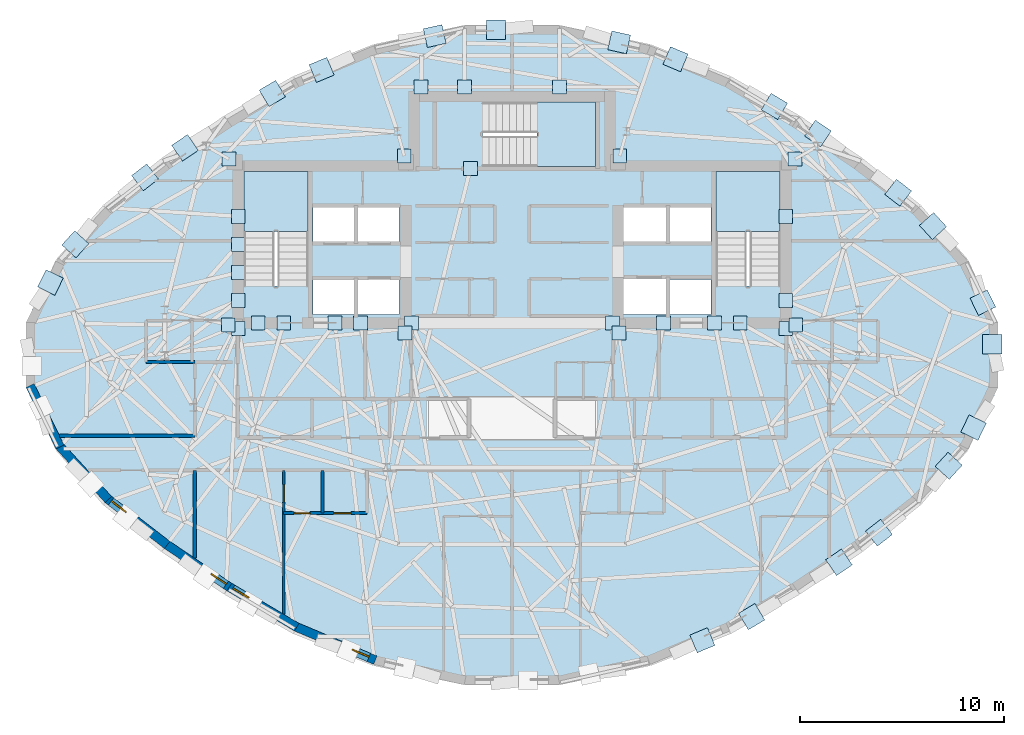
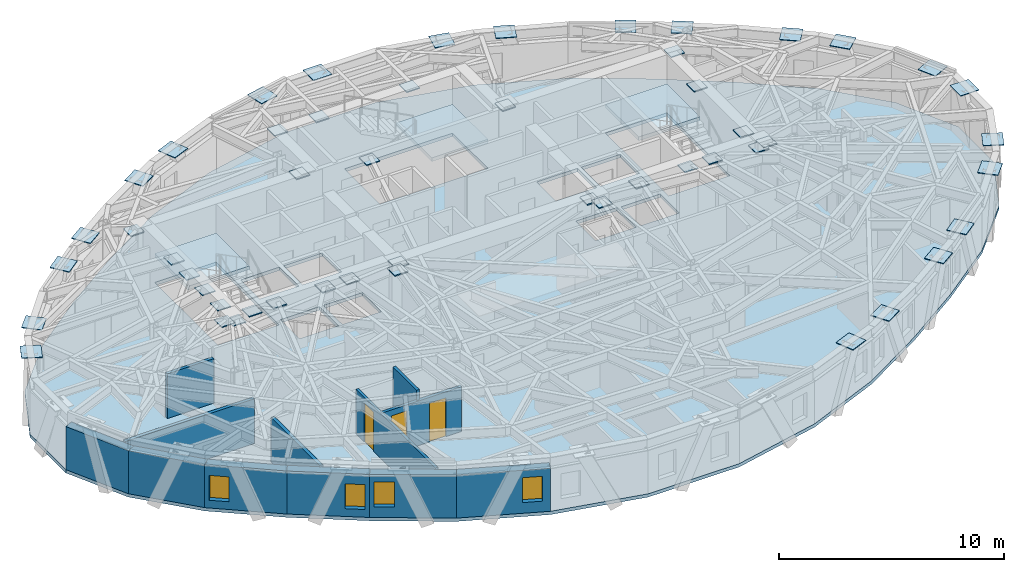
# One storey, part 5 of 13: 51 plates, 12 walls, 4 slabs, 4 windows, 3 doors, 7 openings, 3 elements without a shape of their own.
"""IFC4 building model written with IfcOpenShell, lengths in metres."""

from ifc_helpers import new_model, si_unit, direction, frame, frame_2d, origin, origin_2d, place, context, subcontext, project, spatial, polyline, rectangle, outline, extrude, material, layer, layer_set, type_object, element, fill, aggregate, save


model = new_model("IFC4")

# Units and contexts
model_context = context("Model", 3, precision=1e-05, world=origin(), true_north=direction((0.0, 1.0)))
body_context = subcontext(model_context, "Body", "Model", "MODEL_VIEW")
ifc_project = project(units=[si_unit("LENGTHUNIT", "METRE"), si_unit("AREAUNIT", "SQUARE_METRE"), si_unit("VOLUMEUNIT", "CUBIC_METRE"), si_unit("PLANEANGLEUNIT", "RADIAN"), si_unit("MASSUNIT", "GRAM", prefix="KILO")], contexts=[model_context])

# Site, building, storey
site_placement = place(None, origin())
site = spatial("IfcSite", under=ifc_project, at=site_placement, CompositionType="ELEMENT")
building_placement = place(site_placement, origin())
building = spatial("IfcBuilding", under=site, at=building_placement, Name="Keldmark Tower", CompositionType="ELEMENT")
storey_placement = place(building_placement, frame((0.0, 0.0, 210.0)))
storey = spatial("IfcBuildingStorey", under=building, at=storey_placement, Name="L58", CompositionType="ELEMENT", Elevation=210.0)

# Plates
ifc_material_1 = material(Name="Steel ASTM A572 Grade 50", Category="steel")
ifc_layer_1 = layer(ifc_material_1, 0.06005859375)
ifc_layer_set_1 = layer_set([ifc_layer_1], Name="Steel ASTM A572 Grade 50")
plate_type_1 = type_object("IfcPlateType", Name="Belt Truss Kink Node Assembly KN01 60 mm", PredefinedType="USERDEFINED", material=ifc_layer_set_1)
for number, where, z_axis, x_axis, name in (
    (1, (13.91162109375, 1.473388671875, 2.67822265625), (0.0, 0.0, 1.0), (1.0, 0.0, 0.0), "L58 Core Wall Cast-In Embed Plate 1702"),
    (2, (13.878173828125, 9.608154296875, 2.67822265625), (0.0, 0.0, 1.0), (1.0, 0.0, 0.0), "L58 Core Wall Cast-In Embed Plate 1703"),
    (3, (5.28515625, 9.758544921875, 2.67822265625), (0.0, 0.0, 1.0), (1.0, 0.0, 0.0), "L58 Core Wall Cast-In Embed Plate 1704"),
    (4, (-5.28515625, 9.758544921875, 2.67822265625), (0.0, 0.0, 1.0), (1.0, 0.0, 0.0), "L58 Core Wall Cast-In Embed Plate 1705"),
    (5, (-13.878173828125, 9.608154296875, 2.67822265625), (0.0, 0.0, 1.0), (1.0, 0.0, 0.0), "L58 Core Wall Cast-In Embed Plate 1706"),
    (6, (-13.91162109375, 1.473388671875, 2.67822265625), (0.0, 0.0, 1.0), (1.0, 0.0, 0.0), "L58 Core Wall Cast-In Embed Plate 1707"),
    (7, (-5.24072265625, 1.08251953125, 2.67822265625), (0.0, 0.0, 1.0), (1.0, 0.0, 0.0), "L58 Core Wall Cast-In Embed Plate 1708"),
    (8, (5.24072265625, 1.08251953125, 2.67822265625), (0.0, 0.0, 1.0), (1.0, 0.0, 0.0), "L58 Core Wall Cast-In Embed Plate 1709"),
    (9, (-11.19287109375, 1.574951171875, 2.673828125), (0.0, 0.0, 1.0), (1.0, 0.0, 0.0), "L58 Core Wall Cast-In Embed Plate 1710"),
    (10, (-7.43212890625, 1.574951171875, 2.673828125), (0.0, 0.0, 1.0), (1.0, 0.0, 0.0), "L58 Core Wall Cast-In Embed Plate 1711"),
    (11, (7.43212890625, 1.574951171875, 2.673828125), (0.0, 0.0, 1.0), (1.0, 0.0, 0.0), "L58 Core Wall Cast-In Embed Plate 1712"),
    (12, (11.19287109375, 1.574951171875, 2.673828125), (0.0, 0.0, 1.0), (1.0, 0.0, 0.0), "L58 Core Wall Cast-In Embed Plate 1713"),
    (13, (-13.425048828125, 1.300048828125, 2.673828125), (0.0, 0.0, 1.0), (1.0, 0.0, 0.0), "L58 Core Wall Cast-In Embed Plate 1714"),
    (14, (-2.04296875, 9.139892578125, 2.673828125), (0.0, 0.0, 1.0), (1.0, 0.0, 0.0), "L58 Core Wall Cast-In Embed Plate 1715"),
    (15, (9.939208984375, 1.574951171875, 2.673828125), (0.0, 0.0, 1.0), (1.0, 0.0, 0.0), "L58 Core Wall Cast-In Embed Plate 1716"),
    (16, (13.425048828125, 1.300048828125, 2.673828125), (0.0, 0.0, 1.0), (1.0, 0.0, 0.0), "L58 Core Wall Cast-In Embed Plate 1717"),
    (17, (13.425048828125, 2.675048828125, 2.673828125), (0.0, 0.0, 1.0), (1.0, 0.0, 0.0), "L58 Core Wall Cast-In Embed Plate 1718"),
    (18, (13.425048828125, 6.800048828125, 2.673828125), (0.0, 0.0, 1.0), (1.0, 0.0, 0.0), "L58 Core Wall Cast-In Embed Plate 1719"),
    (19, (-13.425048828125, 4.050048828125, 2.673828125), (0.0, 0.0, 1.0), (1.0, 0.0, 0.0), "L58 Core Wall Cast-In Embed Plate 1720"),
    (20, (-13.425048828125, 2.675048828125, 2.673828125), (0.0, 0.0, 1.0), (1.0, 0.0, 0.0), "L58 Core Wall Cast-In Embed Plate 1721"),
    (21, (-13.425048828125, 5.425048828125, 2.673828125), (0.0, 0.0, 1.0), (1.0, 0.0, 0.0), "L58 Core Wall Cast-In Embed Plate 1722"),
    (22, (4.925048828125, 1.574951171875, 2.673828125), (0.0, 0.0, 1.0), (1.0, 0.0, 0.0), "L58 Core Wall Cast-In Embed Plate 1723"),
    (23, (-8.685791015625, 1.574951171875, 2.673828125), (0.0, 0.0, 1.0), (1.0, 0.0, 0.0), "L58 Core Wall Cast-In Embed Plate 1724"),
    (24, (-4.925048828125, 1.574951171875, 2.673828125), (0.0, 0.0, 1.0), (1.0, 0.0, 0.0), "L58 Core Wall Cast-In Embed Plate 1725"),
    (25, (-12.4462890625, 1.574951171875, 2.673828125), (0.0, 0.0, 1.0), (1.0, 0.0, 0.0), "L58 Core Wall Cast-In Embed Plate 1726"),
    (26, (2.3251953125, 13.14990234375, 2.673828125), (0.0, 0.0, 1.0), (1.0, 0.0, 0.0), "L58 Core Wall Cast-In Embed Plate 1727"),
    (27, (-2.3251953125, 13.14990234375, 2.673828125), (0.0, 0.0, 1.0), (1.0, 0.0, 0.0), "L58 Core Wall Cast-In Embed Plate 1728"),
    (28, (-4.4541015625, 13.14990234375, 2.673828125), (0.0, 0.0, 1.0), (1.0, 0.0, 0.0), "L58 Core Wall Cast-In Embed Plate 1729"),
    (29, (-13.425048828125, 6.800048828125, 2.673828125), (0.0, 0.0, 1.0), (1.0, 0.0, 0.0), "L58 Core Wall Cast-In Embed Plate 1730"),
):
    element("IfcPlate", number, at=place(storey_placement, frame(where, z_axis=z_axis, x_axis=x_axis)), inside=storey, type_object=plate_type_1, Name=name, ObjectType="CAP PLATE", PredefinedType="USERDEFINED", context=body_context, shape_type="SweptSolid", body=[
        extrude(rectangle(XDim=0.679931640625, YDim=0.679931640625, at=origin_2d()), origin(), (0.0, 0.0, 1.0), 0.054931640625),
    ])
ifc_material_2 = material(Name="Steel ASTM A572 Grade 50", Category="steel")
ifc_layer_2 = layer(ifc_material_2, 0.0400390625)
ifc_layer_set_2 = layer_set([ifc_layer_2], Name="Steel ASTM A572 Grade 50")
plate_type_2 = type_object("IfcPlateType", Name="Diagrid Node Assembly DN05 40 mm", PredefinedType="USERDEFINED", material=ifc_layer_set_2)
for number, where, z_axis, x_axis, name in (
    (30, (23.090576171875, 2.5703125, 2.830078125), (0.0, 0.0, 1.0), (-0.438998516526, 0.898487786499, 0.0), "L58 Diagrid Node Assembly 01"),
    (31, (20.645263671875, 6.325927734375, 2.830078125), (0.0, 0.0, 1.0), (-0.674302387584, 0.738455340626, 0.0), "L58 Diagrid Node Assembly 02"),
    (32, (18.9375, 7.96240234375, 2.830078125), (0.0, 0.0, 1.0), (-0.791010021561, 0.611803192039, 0.0), "L58 Diagrid Node Assembly 03"),
    (33, (15.006103515625, 10.8642578125, 2.830078125), (0.0, 0.0, 1.0), (-0.827570769564, 0.561361399958, 0.0), "L58 Diagrid Node Assembly 04"),
    (34, (12.867919921875, 12.19140625, 2.830078125), (0.0, 0.0, 1.0), (-0.859406411501, 0.511293086077, 0.0), "L58 Diagrid Node Assembly 05"),
    (35, (8.02001953125, 14.50732421875, 2.830078125), (0.0, 0.0, 1.0), (-0.921930771776, 0.387354685078, 0.0), "L58 Diagrid Node Assembly 06"),
    (36, (5.25390625, 15.3330078125, 2.830078125), (0.0, 0.0, 1.0), (-0.97564952142, 0.219335385547, 0.0), "L58 Diagrid Node Assembly 07"),
    (37, (-0.781005859375, 15.952880859375, 2.830078125), (0.0, 0.0, 1.0), (-1.0, 0.0, 0.0), "L58 Diagrid Node Assembly 08"),
    (38, (-3.79248046875, 15.641845703125, 2.830078125), (0.0, 0.0, 1.0), (-0.97564952142, -0.219335385547, 0.0), "L58 Diagrid Node Assembly 09"),
    (39, (-9.335205078125, 13.98388671875, 2.830078125), (0.0, 0.0, 1.0), (-0.921930771776, -0.387354685078, 0.0), "L58 Diagrid Node Assembly 10"),
    (40, (-11.753173828125, 12.827392578125, 2.830078125), (0.0, 0.0, 1.0), (-0.859406411501, -0.511293086077, 0.0), "L58 Diagrid Node Assembly 11"),
    (41, (-16.036376953125, 10.162841796875, 2.830078125), (0.0, 0.0, 1.0), (-0.827570769564, -0.561361399958, 0.0), "L58 Diagrid Node Assembly 12"),
    (42, (-17.9970703125, 8.71533203125, 2.830078125), (0.0, 0.0, 1.0), (-0.791010021561, -0.611803192039, 0.0), "L58 Diagrid Node Assembly 13"),
    (43, (-21.414794921875, 5.430419921875, 2.830078125), (0.0, 0.0, 1.0), (-0.674302387584, -0.738455340626, 0.0), "L58 Diagrid Node Assembly 14"),
    (44, (-22.634033203125, 3.557861328125, 2.830078125), (0.0, 0.0, 1.0), (-0.438998516526, -0.898487786499, 0.0), "L58 Diagrid Node Assembly 15"),
    (45, (9.335205078125, -13.98388671875, 2.830078125), (0.0, 0.0, 1.0), (0.921930771776, 0.387354685078, 0.0), "L58 Diagrid Node Assembly 26"),
    (46, (11.753173828125, -12.827392578125, 2.830078125), (0.0, 0.0, 1.0), (0.859406411501, 0.511293086077, 0.0), "L58 Diagrid Node Assembly 27"),
    (47, (16.036376953125, -10.162841796875, 2.830078125), (0.0, 0.0, 1.0), (0.827570769564, 0.561361399958, 0.0), "L58 Diagrid Node Assembly 28"),
    (48, (17.9970703125, -8.71533203125, 2.830078125), (0.0, 0.0, 1.0), (0.791010021561, 0.611803192039, 0.0), "L58 Diagrid Node Assembly 29"),
    (49, (21.414794921875, -5.430419921875, 2.830078125), (0.0, 0.0, 1.0), (0.674302387584, 0.738455340626, 0.0), "L58 Diagrid Node Assembly 30"),
    (50, (22.634033203125, -3.557861328125, 2.830078125), (0.0, 0.0, 1.0), (0.438998516526, 0.898487786499, 0.0), "L58 Diagrid Node Assembly 31"),
    (51, (23.54931640625, 0.531494140625, 2.830078125), (0.0, 0.0, 1.0), (0.0, 1.0, 0.0), "L58 Diagrid Node Assembly 32"),
):
    element("IfcPlate", number, at=place(storey_placement, frame(where, z_axis=z_axis, x_axis=x_axis)), inside=storey, type_object=plate_type_2, Name=name, ObjectType="GUSSET", PredefinedType="USERDEFINED", context=body_context, shape_type="SweptSolid", body=[
        extrude(rectangle(XDim=0.93994140625, YDim=0.93994140625, at=origin_2d()), origin(), (0.0, 0.0, 1.0), 0.0400390625),
    ])

# Slab
ifc_material_3 = material(Name="Concrete C35/45", Category="concrete")
ifc_layer_3 = layer(ifc_material_3, 0.179931640625)
ifc_layer_set_3 = layer_set([ifc_layer_3], Name="Concrete C35/45")
slab_type_1 = type_object("IfcSlabType", Name="Hotel and Residential Slab 180 mm", PredefinedType="FLOOR", material=ifc_layer_set_3)
slab_1_placement = place(storey_placement, frame((0.0, 0.0, -0.179931640625)))
element("IfcSlab", 52, at=slab_1_placement, inside=storey, type_object=slab_type_1, Name="L58 Composite Structural Floor Slab", PredefinedType="FLOOR", context=body_context, shape_type="SweptSolid", body=[
    extrude(outline(polyline([(23.833984375, 1.59228515625), (22.363525390625, 4.601318359375), (19.9580078125, 7.235595703125), (17.04541015625, 9.488037109375), (13.98876953125, 11.561279296875), (10.667724609375, 13.53662109375), (6.783935546875, 15.168212890625), (2.347412109375, 16.165771484375), (-2.347412109375, 16.165771484375), (-6.783935546875, 15.168212890625), (-10.667724609375, 13.53662109375), (-13.98876953125, 11.561279296875), (-17.04541015625, 9.488037109375), (-19.9580078125, 7.235595703125), (-22.363525390625, 4.601318359375), (-23.833984375, 1.59228515625), (-23.833984375, -1.59228515625), (-22.363525390625, -4.601318359375), (-19.9580078125, -7.235595703125), (-17.04541015625, -9.488037109375), (-13.98876953125, -11.561279296875), (-10.667724609375, -13.53662109375), (-6.783935546875, -15.168212890625), (-2.347412109375, -16.165771484375), (2.347412109375, -16.165771484375), (6.783935546875, -15.168212890625), (10.667724609375, -13.53662109375), (13.98876953125, -11.561279296875), (17.04541015625, -9.488037109375), (19.9580078125, -7.235595703125), (22.363525390625, -4.601318359375), (23.833984375, -1.59228515625), (23.833984375, 1.59228515625)]), holes=[polyline([(-10.0, 3.385009765625), (-10.0, 9.0), (-13.14990234375, 9.0), (-13.14990234375, 3.385009765625), (-10.0, 3.385009765625)]), polyline([(13.14990234375, 3.385009765625), (13.14990234375, 9.0), (10.0, 9.0), (10.0, 3.385009765625), (13.14990234375, 3.385009765625)]), polyline([(-1.43994140625, 9.25), (4.10498046875, 9.25), (4.10498046875, 12.39990234375), (-1.43994140625, 12.39990234375), (-1.43994140625, 9.25)]), polyline([(-9.75, 2.0), (-7.75, 2.0), (-7.75, 3.699951171875), (-9.75, 3.699951171875), (-9.75, 2.0)]), polyline([(7.75, 2.0), (9.75, 2.0), (9.75, 3.699951171875), (7.75, 3.699951171875), (7.75, 2.0)]), polyline([(5.449951171875, 2.0), (7.550048828125, 2.0), (7.550048828125, 3.75), (5.449951171875, 3.75), (5.449951171875, 2.0)]), polyline([(-9.75, 5.550048828125), (-7.75, 5.550048828125), (-7.75, 7.25), (-9.75, 7.25), (-9.75, 5.550048828125)]), polyline([(-7.550048828125, 5.550048828125), (-5.550048828125, 5.550048828125), (-5.550048828125, 7.25), (-7.550048828125, 7.25), (-7.550048828125, 5.550048828125)]), polyline([(-7.550048828125, 2.0), (-5.550048828125, 2.0), (-5.550048828125, 3.699951171875), (-7.550048828125, 3.699951171875), (-7.550048828125, 2.0)]), polyline([(5.449951171875, 5.550048828125), (7.550048828125, 5.550048828125), (7.550048828125, 7.25), (5.449951171875, 7.25), (5.449951171875, 5.550048828125)]), polyline([(7.75, 5.550048828125), (9.75, 5.550048828125), (9.75, 7.25), (7.75, 7.25), (7.75, 5.550048828125)])]), origin(), (0.0, 0.0, 1.0), 0.179931640625),
])

# Stair, slab
ifc_material_4 = material(Name="Concrete C40/50", Category="concrete")
stair_type = type_object("IfcStairType", Name="Precast Concrete Core Exit Stair", PredefinedType="HALF_TURN_STAIR", material=ifc_material_4)
stair_1_placement = place(storey_placement, origin())
stair_1 = element("IfcStair", 53, at=stair_1_placement, inside=storey, type_object=stair_type, Name="L58 Exit Stair ST1", PredefinedType="HALF_TURN_STAIR")
ifc_material_5 = material(Name="Concrete C40/50", Category="concrete")
ifc_layer_4 = layer(ifc_material_5, 0.199951171875)
ifc_layer_set_4 = layer_set([ifc_layer_4], Name="Concrete C40/50")
slab_type_2 = type_object("IfcSlabType", Name="Reinforced Concrete Stair Landing 200 mm", PredefinedType="LANDING", material=ifc_layer_set_4)
slab_2_placement = place(storey_placement, frame((0.0, 0.0, 1.375)))
slab_2 = element("IfcSlab", 54, at=slab_2_placement, type_object=slab_type_2, Name="ST1 landing 1", PredefinedType="LANDING", context=body_context, shape_type="SweptSolid", body=[
    extrude(outline(polyline([(-10.0, 6.050048828125), (-10.0, 9.0), (-13.14990234375, 9.0), (-13.14990234375, 6.050048828125), (-10.0, 6.050048828125)])), origin(), (0.0, 0.0, 1.0), 0.199951171875),
])
aggregate(stair_1, [slab_2])

stair_2_placement = place(storey_placement, origin())
stair_2 = element("IfcStair", 55, at=stair_2_placement, inside=storey, type_object=stair_type, Name="L58 Exit Stair ST2", PredefinedType="HALF_TURN_STAIR")
slab_3_placement = place(storey_placement, frame((0.0, 0.0, 1.375)))
slab_3 = element("IfcSlab", 56, at=slab_3_placement, type_object=slab_type_2, Name="ST2 landing 1", PredefinedType="LANDING", context=body_context, shape_type="SweptSolid", body=[
    extrude(outline(polyline([(13.14990234375, 6.050048828125), (13.14990234375, 9.0), (10.0, 9.0), (10.0, 6.050048828125), (13.14990234375, 6.050048828125)])), origin(), (0.0, 0.0, 1.0), 0.199951171875),
])
aggregate(stair_2, [slab_3])

stair_3_placement = place(storey_placement, origin())
stair_3 = element("IfcStair", 57, at=stair_3_placement, inside=storey, type_object=stair_type, Name="L58 Exit Stair ST3", PredefinedType="HALF_TURN_STAIR")
slab_4_placement = place(storey_placement, frame((0.0, 0.0, 1.375)))
slab_4 = element("IfcSlab", 58, at=slab_4_placement, type_object=slab_type_2, Name="ST3 landing 1", PredefinedType="LANDING", context=body_context, shape_type="SweptSolid", body=[
    extrude(outline(polyline([(1.22509765625, 9.25), (4.10498046875, 9.25), (4.10498046875, 12.39990234375), (1.22509765625, 12.39990234375), (1.22509765625, 9.25)])), origin(), (0.0, 0.0, 1.0), 0.199951171875),
])
aggregate(stair_3, [slab_4])

# Wall, opening, door
ifc_material_6 = material(Name="Acoustic Gypsum Board Interior Partition", Category="gypsum")
ifc_layer_5 = layer(ifc_material_6, 0.1298828125)
ifc_layer_set_5 = layer_set([ifc_layer_5], Name="Acoustic Gypsum Board Interior Partition")
wall_type_1 = type_object("IfcWallType", Name="Interior Partition 130 mm", PredefinedType="PARTITIONING", material=ifc_layer_set_5)
wall_1_placement = place(storey_placement, frame((-11.199951171875, -12.69873046875, 0.0), z_axis=(0.0, 0.0, 1.0), x_axis=(0.0, 1.0, 0.0)))
wall_1 = element("IfcWall", 59, at=wall_1_placement, inside=storey, type_object=wall_type_1, Name="L58 Interior Partition 130 mm UA-BR1-E", PredefinedType="PARTITIONING", context=body_context, shape_type="SweptSolid", body=[
    extrude(rectangle(XDim=7.048828125, YDim=0.1298828125, at=frame_2d((3.5244140625, 0.0))), origin(), (0.0, 0.0, 1.0), 2.423095703125),
])
opening_1_placement = place(wall_1_placement, frame((5.4990234375, 0.0, 0.0)))
opening_1 = element("IfcOpeningElement", 60, at=opening_1_placement, cuts=wall_1, Name="Opening D-BR085", PredefinedType="OPENING", context=body_context, shape_type="SweptSolid", body=[
    extrude(rectangle(XDim=0.85009765625, YDim=2.10009765625, at=frame_2d((0.425048828125, 1.050048828125))), frame((0.0, 0.074951171875, 0.0), z_axis=(0.0, -1.0, 0.0), x_axis=(1.0, 0.0, 0.0)), (0.0, 0.0, 1.0), 0.14990234375),
])
ifc_material_7 = material(Name="Solid-Core Stained Walnut Wood", Category="wood")
door_type_1 = type_object("IfcDoorType", Name="Bedroom Door 850x2100", OperationType="NOTDEFINED", PredefinedType="DOOR", material=ifc_material_7)
door_1_placement = place(opening_1_placement, origin())
door_1 = element("IfcDoor", 61, at=door_1_placement, inside=storey, type_object=door_type_1, Name="L58 Bedroom Door 850x2100 D-UA-BR1-L58", OperationType="SINGLE_SWING_RIGHT", OverallHeight=2.10009765625, OverallWidth=0.85009765625, PredefinedType="DOOR", context=body_context, shape_type="SweptSolid", body=[
    extrude(rectangle(XDim=0.85009765625, YDim=2.10009765625, at=frame_2d((0.425048828125, 1.050048828125))), frame((0.0, 0.02490234375, 0.0), z_axis=(0.0, -1.0, 0.0), x_axis=(1.0, 0.0, 0.0)), (0.0, 0.0, 1.0), 0.050048828125),
])
fill(opening_1, door_1)

# Walls
ifc_material_8 = material(Name="Type X Fire-Rated Gypsum Partition Assembly", Category="gypsum")
ifc_layer_6 = layer(ifc_material_8, 0.1650390625)
ifc_layer_set_6 = layer_set([ifc_layer_6], Name="Type X Fire-Rated Gypsum Partition Assembly")
wall_type_2 = type_object("IfcWallType", Name="Rated Partition 165 mm", PredefinedType="PARTITIONING", material=ifc_layer_set_6)
wall_2_placement = place(storey_placement, frame((-22.18310546875, -3.949951171875, 0.0), z_axis=(0.0, 0.0, 1.0), x_axis=(1.0, 0.0, 0.0)))
element("IfcWall", 62, at=wall_2_placement, inside=storey, type_object=wall_type_2, Name="L58 Rated Partition 165 mm RCOR-WN-OUT", PredefinedType="PARTITIONING", context=body_context, shape_type="SweptSolid", body=[
    extrude(rectangle(XDim=6.633056640625, YDim=0.1650390625, at=frame_2d((3.31640625, 0.0))), origin(), (0.0, 0.0, 1.0), 2.423095703125),
])
wall_3_placement = place(storey_placement, frame((-15.550048828125, -9.9609375, 0.0), z_axis=(0.0, 0.0, 1.0), x_axis=(0.0, 1.0, 0.0)))
element("IfcWall", 63, at=wall_3_placement, inside=storey, type_object=wall_type_2, Name="L58 Rated Partition 165 mm RS-WCAP", PredefinedType="PARTITIONING", context=body_context, shape_type="SweptSolid", body=[
    extrude(rectangle(XDim=4.31103515625, YDim=0.1650390625, at=frame_2d((2.155517578125, 0.0))), origin(), (0.0, 0.0, 1.0), 2.423095703125),
])
ifc_material_9 = material(Name="Ironspot Manganese Brick and Kasota Buff Limestone Spandrel Assembly", Category="masonry")
ifc_layer_7 = layer(ifc_material_9, 0.43994140625)
ifc_layer_set_7 = layer_set([ifc_layer_7], Name="Ironspot Manganese Brick and Kasota Buff Limestone Spandrel Assembly")
wall_type_3 = type_object("IfcWallType", Name="Tower Brick Pier and Spandrel Wall 440 mm", PredefinedType="STANDARD", material=ifc_layer_set_7)
wall_4_placement = place(storey_placement, frame((-22.166015625, -4.504638671875, 0.0), z_axis=(0.0, 0.0, 1.0), x_axis=(-0.439000922584, 0.898486610902, 0.0)))
element("IfcWall", 64, at=wall_4_placement, inside=storey, type_object=wall_type_3, Name="L58 Exterior Brick and Spandrel Wall 17", PredefinedType="STANDARD", context=body_context, shape_type="SweptSolid", body=[
    extrude(rectangle(XDim=3.34912109375, YDim=0.43994140625, at=frame_2d((1.674560546875, 0.0))), origin(), (0.0, 0.0, 1.0), 2.3359375),
])
wall_5_placement = place(storey_placement, frame((-19.79541015625, -7.087158203125, 0.0), z_axis=(0.0, 0.0, 1.0), x_axis=(-0.674353738675, 0.738408447362, 0.0)))
element("IfcWall", 65, at=wall_5_placement, inside=storey, type_object=wall_type_3, Name="L58 Exterior Brick and Spandrel Wall 18", PredefinedType="STANDARD", context=body_context, shape_type="SweptSolid", body=[
    extrude(rectangle(XDim=3.567626953125, YDim=0.43994140625, at=frame_2d((1.78369140625, 0.0))), origin(), (0.0, 0.0, 1.0), 2.3359375),
])

# Wall, opening, window
wall_6_placement = place(storey_placement, frame((-16.910888671875, -9.314208984375, 0.0), z_axis=(0.0, 0.0, 1.0), x_axis=(-0.791016617957, 0.61179466336, 0.0)))
wall_6 = element("IfcWall", 66, at=wall_6_placement, inside=storey, type_object=wall_type_3, Name="L58 Exterior Brick and Spandrel Wall 19", PredefinedType="STANDARD", context=body_context, shape_type="SweptSolid", body=[
    extrude(rectangle(XDim=3.68212890625, YDim=0.43994140625, at=frame_2d((1.841064453125, 0.0))), origin(), (0.0, 0.0, 1.0), 2.3359375),
])
opening_2_placement = place(wall_6_placement, frame((2.58203125, 0.0, 0.419921875)))
opening_2 = element("IfcOpeningElement", 67, at=opening_2_placement, cuts=wall_6, Name="Opening W-09", PredefinedType="OPENING", context=body_context, shape_type="SweptSolid", body=[
    extrude(rectangle(XDim=0.89990234375, YDim=1.35009765625, at=frame_2d((0.449951171875, 0.675048828125))), frame((0.0, 0.22998046875, 0.0), z_axis=(0.0, -1.0, 0.0), x_axis=(1.0, 0.0, 0.0)), (0.0, 0.0, 1.0), 0.4599609375),
])
ifc_material_10 = material(Name="Thermally Broken Anodized Aluminum and Triple Low-E Argon Glazing", Category="aluminium")
window_type = type_object("IfcWindowType", Name="Corner Pier Deep-Set Window 900x1350", PartitioningType="SINGLE_PANEL", PredefinedType="WINDOW", material=ifc_material_10)
window_1_placement = place(opening_2_placement, origin())
window_1 = element("IfcWindow", 68, at=window_1_placement, inside=storey, type_object=window_type, Name="L58 Deep-Set Window 19", OverallHeight=1.35009765625, OverallWidth=0.89990234375, PartitioningType="SINGLE_PANEL", PredefinedType="WINDOW", context=body_context, shape_type="SweptSolid", body=[
    extrude(rectangle(XDim=0.89990234375, YDim=1.35009765625, at=frame_2d((0.449951171875, 0.675048828125))), frame((0.0, -0.010009765625, 0.0), z_axis=(0.0, -1.0, 0.0), x_axis=(1.0, 0.0, 0.0)), (0.0, 0.0, 1.0), 0.06005859375),
])
fill(opening_2, window_1)

wall_7_placement = place(storey_placement, frame((-13.865234375, -11.379150390625, 0.0), z_axis=(0.0, 0.0, 1.0), x_axis=(-0.827589832786, 0.561333295529, 0.0)))
wall_7 = element("IfcWall", 69, at=wall_7_placement, inside=storey, type_object=wall_type_3, Name="L58 Exterior Brick and Spandrel Wall 20", PredefinedType="STANDARD", context=body_context, shape_type="SweptSolid", body=[
    extrude(rectangle(XDim=3.693359375, YDim=0.43994140625, at=frame_2d((1.8466796875, 0.0))), origin(), (0.0, 0.0, 1.0), 2.3359375),
])
opening_3_placement = place(wall_7_placement, frame((0.199951171875, 0.0, 0.419921875)))
opening_3 = element("IfcOpeningElement", 70, at=opening_3_placement, cuts=wall_7, Name="Opening W-09", PredefinedType="OPENING", context=body_context, shape_type="SweptSolid", body=[
    extrude(rectangle(XDim=0.89990234375, YDim=1.35009765625, at=frame_2d((0.449951171875, 0.675048828125))), frame((0.0, 0.22998046875, 0.0), z_axis=(0.0, -1.0, 0.0), x_axis=(1.0, 0.0, 0.0)), (0.0, 0.0, 1.0), 0.4599609375),
])
window_2_placement = place(opening_3_placement, origin())
window_2 = element("IfcWindow", 71, at=window_2_placement, inside=storey, type_object=window_type, Name="L58 Deep-Set Window 20", OverallHeight=1.35009765625, OverallWidth=0.89990234375, PartitioningType="SINGLE_PANEL", PredefinedType="WINDOW", context=body_context, shape_type="SweptSolid", body=[
    extrude(rectangle(XDim=0.89990234375, YDim=1.35009765625, at=frame_2d((0.449951171875, 0.675048828125))), frame((0.0, -0.010009765625, 0.0), z_axis=(0.0, -1.0, 0.0), x_axis=(1.0, 0.0, 0.0)), (0.0, 0.0, 1.0), 0.06005859375),
])
fill(opening_3, window_2)

wall_8_placement = place(storey_placement, frame((-10.555419921875, -13.34765625, 0.0), z_axis=(0.0, 0.0, 1.0), x_axis=(-0.859415840392, 0.511277237204, 0.0)))
wall_8 = element("IfcWall", 72, at=wall_8_placement, inside=storey, type_object=wall_type_3, Name="L58 Exterior Brick and Spandrel Wall 21", PredefinedType="STANDARD", context=body_context, shape_type="SweptSolid", body=[
    extrude(rectangle(XDim=3.864013671875, YDim=0.43994140625, at=frame_2d((1.93212890625, 0.0))), origin(), (0.0, 0.0, 1.0), 2.3359375),
])
opening_4_placement = place(wall_8_placement, frame((2.76416015625, 0.0, 0.580078125)))
opening_4 = element("IfcOpeningElement", 73, at=opening_4_placement, cuts=wall_8, Name="Opening W-09", PredefinedType="OPENING", context=body_context, shape_type="SweptSolid", body=[
    extrude(rectangle(XDim=0.89990234375, YDim=1.35009765625, at=frame_2d((0.449951171875, 0.675048828125))), frame((0.0, 0.22998046875, 0.0), z_axis=(0.0, -1.0, 0.0), x_axis=(1.0, 0.0, 0.0)), (0.0, 0.0, 1.0), 0.4599609375),
])
window_3_placement = place(opening_4_placement, origin())
window_3 = element("IfcWindow", 74, at=window_3_placement, inside=storey, type_object=window_type, Name="L58 Deep-Set Window 21", OverallHeight=1.35009765625, OverallWidth=0.89990234375, PartitioningType="SINGLE_PANEL", PredefinedType="WINDOW", context=body_context, shape_type="SweptSolid", body=[
    extrude(rectangle(XDim=0.89990234375, YDim=1.35009765625, at=frame_2d((0.449951171875, 0.675048828125))), frame((0.0, -0.010009765625, 0.0), z_axis=(0.0, -1.0, 0.0), x_axis=(1.0, 0.0, 0.0)), (0.0, 0.0, 1.0), 0.06005859375),
])
fill(opening_4, window_3)

wall_9_placement = place(storey_placement, frame((-6.69873046875, -14.965576171875, 0.0), z_axis=(0.0, 0.0, 1.0), x_axis=(-0.921948168537, 0.387313276988, 0.0)))
wall_9 = element("IfcWall", 75, at=wall_9_placement, inside=storey, type_object=wall_type_3, Name="L58 Exterior Brick and Spandrel Wall 22", PredefinedType="STANDARD", context=body_context, shape_type="SweptSolid", body=[
    extrude(rectangle(XDim=4.212646484375, YDim=0.43994140625, at=frame_2d((2.1064453125, 0.0))), origin(), (0.0, 0.0, 1.0), 2.3359375),
])
opening_5_placement = place(wall_9_placement, frame((0.34814453125, 0.0, 0.580078125)))
opening_5 = element("IfcOpeningElement", 76, at=opening_5_placement, cuts=wall_9, Name="Opening W-09", PredefinedType="OPENING", context=body_context, shape_type="SweptSolid", body=[
    extrude(rectangle(XDim=0.89990234375, YDim=1.35009765625, at=frame_2d((0.449951171875, 0.675048828125))), frame((0.0, 0.22998046875, 0.0), z_axis=(0.0, -1.0, 0.0), x_axis=(1.0, 0.0, 0.0)), (0.0, 0.0, 1.0), 0.4599609375),
])
window_4_placement = place(opening_5_placement, origin())
window_4 = element("IfcWindow", 77, at=window_4_placement, inside=storey, type_object=window_type, Name="L58 Deep-Set Window 22", OverallHeight=1.35009765625, OverallWidth=0.89990234375, PartitioningType="SINGLE_PANEL", PredefinedType="WINDOW", context=body_context, shape_type="SweptSolid", body=[
    extrude(rectangle(XDim=0.89990234375, YDim=1.35009765625, at=frame_2d((0.449951171875, 0.675048828125))), frame((0.0, -0.010009765625, 0.0), z_axis=(0.0, -1.0, 0.0), x_axis=(1.0, 0.0, 0.0)), (0.0, 0.0, 1.0), 0.06005859375),
])
fill(opening_5, window_4)

# Wall, openings, doors
ifc_material_11 = material(Name="Moisture-Resistant Gypsum Plumbing Partition", Category="gypsum")
ifc_layer_8 = layer(ifc_material_11, 0.14990234375)
ifc_layer_set_8 = layer_set([ifc_layer_8], Name="Moisture-Resistant Gypsum Plumbing Partition")
wall_type_4 = type_object("IfcWallType", Name="Wet Wall 150 mm", PredefinedType="PLUMBINGWALL", material=ifc_layer_set_8)
wall_10_placement = place(storey_placement, frame((-11.199951171875, -7.75, 0.0), z_axis=(0.0, 0.0, 1.0), x_axis=(1.0, 0.0, 0.0)))
wall_10 = element("IfcWall", 78, at=wall_10_placement, inside=storey, type_object=wall_type_4, Name="L58 Wet Wall 150 mm UA-BK-S", PredefinedType="PLUMBINGWALL", context=body_context, shape_type="SweptSolid", body=[
    extrude(rectangle(XDim=4.099853515625, YDim=0.14990234375, at=frame_2d((2.0498046875, 0.0))), origin(), (0.0, 0.0, 1.0), 2.423095703125),
])
opening_6_placement = place(wall_10_placement, frame((0.5, 0.0, 0.0)))
opening_6 = element("IfcOpeningElement", 79, at=opening_6_placement, cuts=wall_10, Name="Opening D-BT080", PredefinedType="OPENING", context=body_context, shape_type="SweptSolid", body=[
    extrude(rectangle(XDim=0.800048828125, YDim=2.10009765625, at=frame_2d((0.39990234375, 1.050048828125))), frame((0.0, 0.0849609375, 0.0), z_axis=(0.0, -1.0, 0.0), x_axis=(1.0, 0.0, 0.0)), (0.0, 0.0, 1.0), 0.169921875),
])
opening_7_placement = place(wall_10_placement, frame((2.449951171875, 0.0, 0.0)))
opening_7 = element("IfcOpeningElement", 80, at=opening_7_placement, cuts=wall_10, Name="Opening D-IN085", PredefinedType="OPENING", context=body_context, shape_type="SweptSolid", body=[
    extrude(rectangle(XDim=0.85009765625, YDim=2.10009765625, at=frame_2d((0.425048828125, 1.050048828125))), frame((0.0, 0.0849609375, 0.0), z_axis=(0.0, -1.0, 0.0), x_axis=(1.0, 0.0, 0.0)), (0.0, 0.0, 1.0), 0.169921875),
])
ifc_material_12 = material(Name="Moisture-Sealed Stained Wood", Category="wood")
door_type_2 = type_object("IfcDoorType", Name="Bathroom Door 800x2100", OperationType="NOTDEFINED", PredefinedType="DOOR", material=ifc_material_12)
door_2_placement = place(opening_6_placement, origin())
door_2 = element("IfcDoor", 81, at=door_2_placement, inside=storey, type_object=door_type_2, Name="L58 Bathroom Door 800x2100 D-UA-BATH-L58", OperationType="SINGLE_SWING_LEFT", OverallHeight=2.10009765625, OverallWidth=0.800048828125, PredefinedType="DOOR", context=body_context, shape_type="SweptSolid", body=[
    extrude(rectangle(XDim=0.800048828125, YDim=2.10009765625, at=frame_2d((0.39990234375, 1.050048828125))), frame((0.0, 0.02490234375, 0.0), z_axis=(0.0, -1.0, 0.0), x_axis=(1.0, 0.0, 0.0)), (0.0, 0.0, 1.0), 0.050048828125),
])
fill(opening_6, door_2)
ifc_material_13 = material(Name="Painted Architectural Wood", Category="wood")
door_type_3 = type_object("IfcDoorType", Name="Interior Door 850x2100", OperationType="NOTDEFINED", PredefinedType="DOOR", material=ifc_material_13)
door_3_placement = place(opening_7_placement, origin())
door_3 = element("IfcDoor", 82, at=door_3_placement, inside=storey, type_object=door_type_3, Name="L58 Interior Door 850x2100 D-UA-KIT-L58", OperationType="SINGLE_SWING_RIGHT", OverallHeight=2.10009765625, OverallWidth=0.85009765625, PredefinedType="DOOR", context=body_context, shape_type="SweptSolid", body=[
    extrude(rectangle(XDim=0.85009765625, YDim=2.10009765625, at=frame_2d((0.425048828125, 1.050048828125))), frame((0.0, 0.02490234375, 0.0), z_axis=(0.0, -1.0, 0.0), x_axis=(1.0, 0.0, 0.0)), (0.0, 0.0, 1.0), 0.050048828125),
])
fill(opening_7, door_3)

# Walls
wall_11_placement = place(storey_placement, frame((-9.300048828125, -7.75, 0.0), z_axis=(0.0, 0.0, 1.0), x_axis=(0.0, 1.0, 0.0)))
element("IfcWall", 83, at=wall_11_placement, inside=storey, type_object=wall_type_4, Name="L58 Wet Wall 150 mm UA-BK-M", PredefinedType="PLUMBINGWALL", context=body_context, shape_type="SweptSolid", body=[
    extrude(rectangle(XDim=2.10009765625, YDim=0.14990234375, at=frame_2d((1.050048828125, 0.0))), origin(), (0.0, 0.0, 1.0), 2.969970703125),
])
wall_12_placement = place(storey_placement, frame((-17.949951171875, -0.35009765625, 0.0), z_axis=(0.0, 0.0, 1.0), x_axis=(1.0, 0.0, 0.0)))
element("IfcWall", 84, at=wall_12_placement, inside=storey, type_object=wall_type_4, Name="L58 Wet Wall 150 mm UC-BK-S", PredefinedType="PLUMBINGWALL", context=body_context, shape_type="SweptSolid", body=[
    extrude(rectangle(XDim=2.39990234375, YDim=0.14990234375, at=frame_2d((1.199951171875, 0.0))), origin(), (0.0, 0.0, 1.0), 2.423095703125),
])

save(model, "model.ifc")
